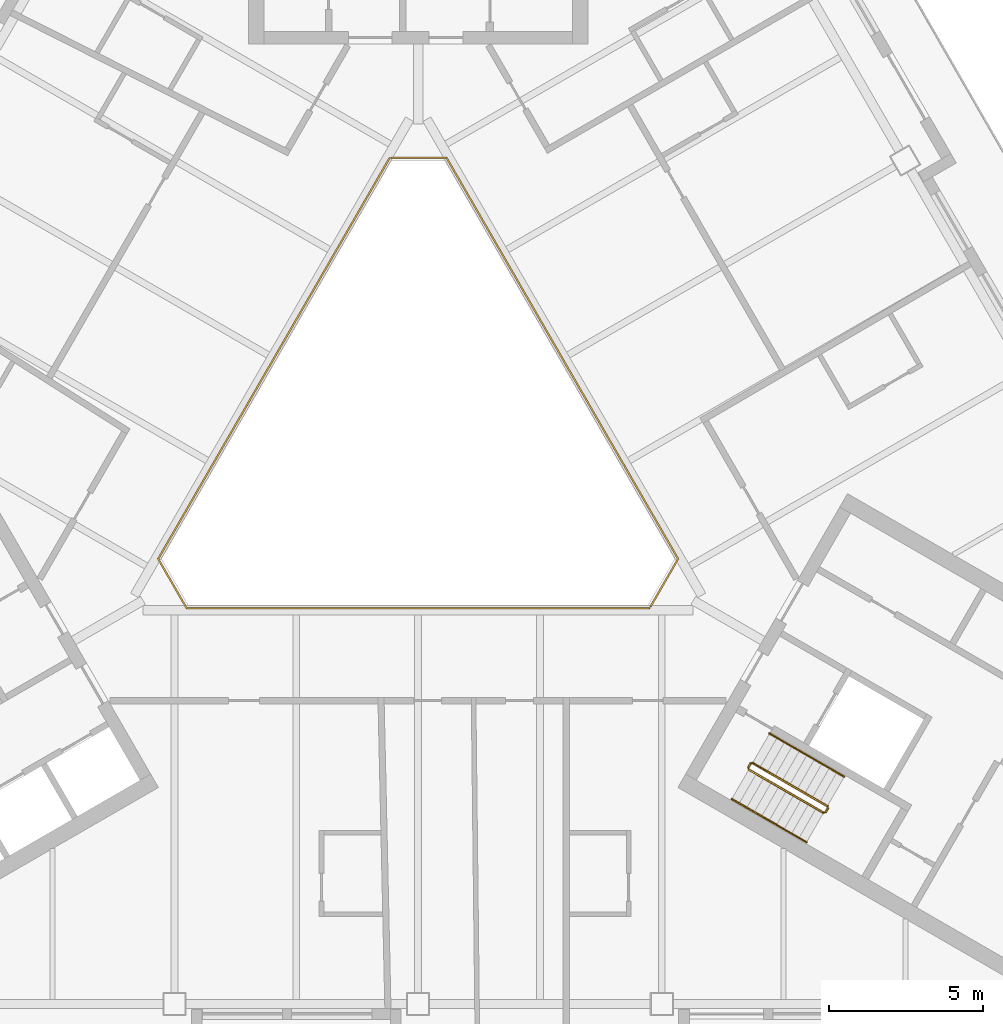
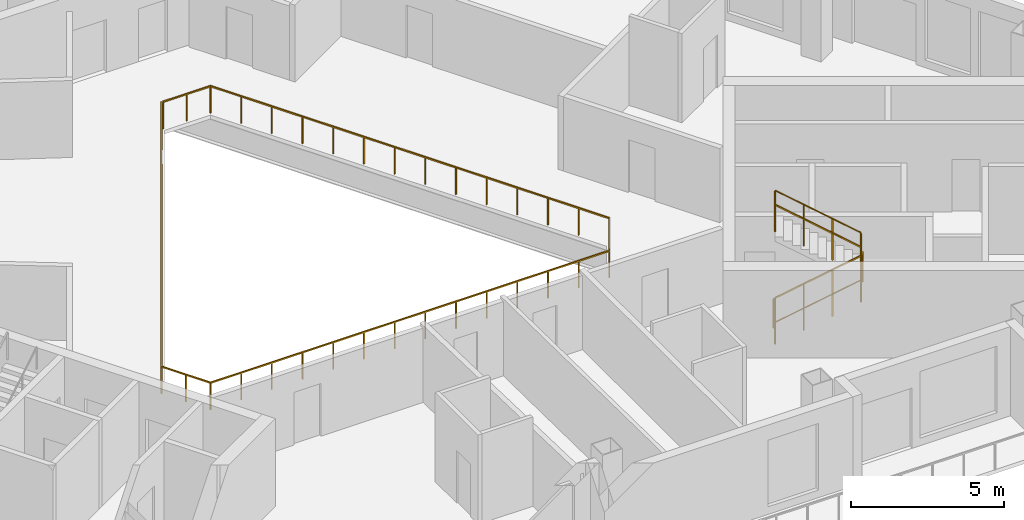
# One storey, part 11 of 13: 8 railings.
"""IFC4 building model written with IfcOpenShell, lengths in metres."""

from ifc_helpers import new_model, si_unit, direction, frame, origin, origin_2d, place, context, subcontext, project, spatial, rectangle, circle, extrude, material, type_object, element, save


model = new_model("IFC4")

# Units and contexts
model_context = context("Model", 3, precision=1e-05, world=origin(), true_north=direction((0.0, 1.0)))
body_context = subcontext(model_context, "Body", "Model", "MODEL_VIEW")
ifc_project = project(units=[si_unit("LENGTHUNIT", "METRE"), si_unit("AREAUNIT", "SQUARE_METRE"), si_unit("VOLUMEUNIT", "CUBIC_METRE"), si_unit("PLANEANGLEUNIT", "RADIAN"), si_unit("MASSUNIT", "GRAM", prefix="KILO")], contexts=[model_context])

# Site, building, storey
site_placement = place(None, origin())
site = spatial("IfcSite", under=ifc_project, at=site_placement, CompositionType="ELEMENT")
building_placement = place(site_placement, origin())
building = spatial("IfcBuilding", under=site, at=building_placement, Name="Apuvela Tower Hotel", CompositionType="ELEMENT")
storey_placement = place(building_placement, frame((0.0, 0.0, 194.699951171875)))
storey = spatial("IfcBuildingStorey", under=building, at=storey_placement, Name="L47", CompositionType="ELEMENT", Elevation=194.699951171875)

# Railings
ifc_material_1 = material(Name="Steel S275 balustrade", Category="steel")
railing_type_1 = type_object("IfcRailingType", Name="COR-GUARD-1100", PredefinedType="GUARDRAIL", material=ifc_material_1)
railing_1_placement = place(storey_placement, frame((10.718994140625, -10.63427734375, 0.168212890625)))
element("IfcRailing", 1, at=railing_1_placement, inside=storey, type_object=railing_type_1, Name="L47 ST3 stair guard 1", PredefinedType="GUARDRAIL", context=body_context, shape_type="SweptSolid", body=[
    extrude(rectangle(XDim=0.048095703125, YDim=0.048095703125, at=origin_2d()), frame((0.0, 0.0, 1.076171875), z_axis=(0.742390482028, -0.42860119049, 0.514934356695), x_axis=(0.49998411664, 0.866034573852, 0.0)), (0.0, 0.0, 1.0), 3.26611328125),
    extrude(rectangle(XDim=0.0419921875, YDim=0.0419921875, at=origin_2d()), origin(), (0.0, 0.0, 1.0), 1.052001953125),
    extrude(rectangle(XDim=0.0419921875, YDim=0.0419921875, at=origin_2d()), frame((0.808349609375, -0.466552734375, 0.560546875)), (0.0, 0.0, 1.0), 1.052001953125),
    extrude(rectangle(XDim=0.0419921875, YDim=0.0419921875, at=origin_2d()), frame((1.616455078125, -0.933349609375, 1.121337890625)), (0.0, 0.0, 1.0), 1.052001953125),
    extrude(rectangle(XDim=0.0419921875, YDim=0.0419921875, at=origin_2d()), frame((2.4248046875, -1.39990234375, 1.681884765625)), (0.0, 0.0, 1.0), 1.052001953125),
])
railing_2_placement = place(storey_placement, frame((13.212158203125, -12.015869140625, 1.85009765625)))
element("IfcRailing", 2, at=railing_2_placement, inside=storey, type_object=railing_type_1, Name="L47 ST3 stair guard 2", PredefinedType="GUARDRAIL", context=body_context, shape_type="SweptSolid", body=[
    extrude(rectangle(XDim=0.048095703125, YDim=0.048095703125, at=origin_2d()), frame((0.0, 0.0, 1.076171875), z_axis=(0.499816412211, 0.866131372301, 0.0), x_axis=(-0.866131372301, 0.499816412211, 0.0)), (0.0, 0.0, 1.0), 0.14990234375),
    extrude(rectangle(XDim=0.0419921875, YDim=0.0419921875, at=origin_2d()), origin(), (0.0, 0.0, 1.0), 1.052001953125),
    extrude(rectangle(XDim=0.0419921875, YDim=0.0419921875, at=origin_2d()), frame((0.074951171875, 0.1298828125, 0.0)), (0.0, 0.0, 1.0), 1.052001953125),
])
railing_3_placement = place(storey_placement, frame((13.268798828125, -11.817626953125, 2.018310546875)))
element("IfcRailing", 3, at=railing_3_placement, inside=storey, type_object=railing_type_1, Name="L47 ST3 stair guard 3", PredefinedType="GUARDRAIL", context=body_context, shape_type="SweptSolid", body=[
    extrude(rectangle(XDim=0.048095703125, YDim=0.048095703125, at=origin_2d()), frame((0.0, 0.0, 1.076171875), z_axis=(-0.74241905619, 0.428617687091, 0.514879426), x_axis=(-0.49998411664, -0.866034573852, 0.0)), (0.0, 0.0, 1.0), 3.26611328125),
    extrude(rectangle(XDim=0.0419921875, YDim=0.0419921875, at=origin_2d()), origin(), (0.0, 0.0, 1.0), 1.052001953125),
    extrude(rectangle(XDim=0.0419921875, YDim=0.0419921875, at=origin_2d()), frame((-0.808349609375, 0.466552734375, 0.560546875)), (0.0, 0.0, 1.0), 1.052001953125),
    extrude(rectangle(XDim=0.0419921875, YDim=0.0419921875, at=origin_2d()), frame((-1.616455078125, 0.933349609375, 1.12109375)), (0.0, 0.0, 1.0), 1.052001953125),
    extrude(rectangle(XDim=0.0419921875, YDim=0.0419921875, at=origin_2d()), frame((-2.4248046875, 1.39990234375, 1.681640625)), (0.0, 0.0, 1.0), 1.052001953125),
])
railing_4_placement = place(storey_placement, frame((10.70068359375, -10.56591796875, 0.0)))
element("IfcRailing", 4, at=railing_4_placement, inside=storey, type_object=railing_type_1, Name="L47 ST3 stair guard 4", PredefinedType="GUARDRAIL", context=body_context, shape_type="SweptSolid", body=[
    extrude(rectangle(XDim=0.048095703125, YDim=0.048095703125, at=origin_2d()), frame((0.0, 0.0, 1.076171875), z_axis=(0.499816412211, 0.866131372301, 0.0), x_axis=(-0.866131372301, 0.499816412211, 0.0)), (0.0, 0.0, 1.0), 0.14990234375),
    extrude(rectangle(XDim=0.0419921875, YDim=0.0419921875, at=origin_2d()), origin(), (0.0, 0.0, 1.0), 1.052001953125),
    extrude(rectangle(XDim=0.0419921875, YDim=0.0419921875, at=origin_2d()), frame((0.074951171875, 0.1298828125, 0.0)), (0.0, 0.0, 1.0), 1.052001953125),
])
ifc_material_2 = material(Name="Stainless steel 316 handrail", Category="steel")
railing_type_2 = type_object("IfcRailingType", Name="COR-HANDRAIL-900", PredefinedType="HANDRAIL", material=ifc_material_2)
railing_5_placement = place(storey_placement, frame((10.1689453125, -11.5869140625, 0.168212890625)))
element("IfcRailing", 5, at=railing_5_placement, inside=storey, type_object=railing_type_2, Name="L47 ST3 stair handrail 1", PredefinedType="HANDRAIL", context=body_context, shape_type="SweptSolid", body=[
    extrude(circle(Radius=0.02392578125, at=origin_2d()), frame((0.0, 0.0, 0.8759765625), z_axis=(0.742390482028, -0.42860119049, 0.514934356695), x_axis=(0.49998411664, 0.866034573852, 0.0)), (0.0, 0.0, 1.0), 3.26611328125),
    extrude(rectangle(XDim=0.0419921875, YDim=0.0419921875, at=origin_2d()), origin(), (0.0, 0.0, 1.0), 0.851806640625),
    extrude(rectangle(XDim=0.0419921875, YDim=0.0419921875, at=origin_2d()), frame((0.808349609375, -0.466552734375, 0.560546875)), (0.0, 0.0, 1.0), 0.851806640625),
    extrude(rectangle(XDim=0.0419921875, YDim=0.0419921875, at=origin_2d()), frame((1.616455078125, -0.933349609375, 1.121337890625)), (0.0, 0.0, 1.0), 0.851806640625),
    extrude(rectangle(XDim=0.0419921875, YDim=0.0419921875, at=origin_2d()), frame((2.4248046875, -1.39990234375, 1.681884765625)), (0.0, 0.0, 1.0), 0.851806640625),
])
railing_6_placement = place(storey_placement, frame((13.81884765625, -10.864990234375, 2.018310546875)))
element("IfcRailing", 6, at=railing_6_placement, inside=storey, type_object=railing_type_2, Name="L47 ST3 stair handrail 2", PredefinedType="HANDRAIL", context=body_context, shape_type="SweptSolid", body=[
    extrude(circle(Radius=0.02392578125, at=origin_2d()), frame((0.0, 0.0, 0.8759765625), z_axis=(-0.74241905619, 0.428617687091, 0.514879426), x_axis=(-0.49998411664, -0.866034573852, 0.0)), (0.0, 0.0, 1.0), 3.26611328125),
    extrude(rectangle(XDim=0.0419921875, YDim=0.0419921875, at=origin_2d()), origin(), (0.0, 0.0, 1.0), 0.851806640625),
    extrude(rectangle(XDim=0.0419921875, YDim=0.0419921875, at=origin_2d()), frame((-0.808349609375, 0.466552734375, 0.560546875)), (0.0, 0.0, 1.0), 0.851806640625),
    extrude(rectangle(XDim=0.0419921875, YDim=0.0419921875, at=origin_2d()), frame((-1.616455078125, 0.933349609375, 1.12109375)), (0.0, 0.0, 1.0), 0.851806640625),
    extrude(rectangle(XDim=0.0419921875, YDim=0.0419921875, at=origin_2d()), frame((-2.4248046875, 1.39990234375, 1.681640625)), (0.0, 0.0, 1.0), 0.851806640625),
])
ifc_material_3 = material(Name="Stainless steel 316 rail with laminated glass infill", Category="steel")
railing_type_3 = type_object("IfcRailingType", Name="ENV-GUARD-1100", PredefinedType="GUARDRAIL", material=ifc_material_3)
railing_7_placement = place(storey_placement, frame((-0.923828125, 9.199951171875, 0.0)))
element("IfcRailing", 7, at=railing_7_placement, inside=storey, type_object=railing_type_3, Name="Atrium void guard A L47", PredefinedType="GUARDRAIL", context=body_context, shape_type="SweptSolid", body=[
    extrude(rectangle(XDim=0.050048828125, YDim=0.050048828125, at=origin_2d()), frame((0.0, 0.0, 1.0751953125), z_axis=(-0.499990886379, -0.866030665472, 0.0), x_axis=(0.866030665472, -0.499990886379, 0.0)), (0.0, 0.0, 1.0), 15.010986328125),
    extrude(rectangle(XDim=0.050048828125, YDim=0.050048828125, at=origin_2d()), frame((-7.50537109375, -13.0, 1.0751953125), z_axis=(0.499962699187, -0.866046938348, 0.0), x_axis=(0.866046938348, 0.499962699187, 0.0)), (0.0, 0.0, 1.0), 1.847412109375),
    extrude(rectangle(XDim=0.050048828125, YDim=0.050048828125, at=origin_2d()), frame((-6.581787109375, -14.599853515625, 1.0751953125), z_axis=(1.0, 0.0, 0.0), x_axis=(0.0, 1.0, 0.0)), (0.0, 0.0, 1.0), 15.01123046875),
    extrude(rectangle(XDim=0.0400390625, YDim=0.0400390625, at=origin_2d()), origin(), (0.0, 0.0, 1.0), 1.050048828125),
    extrude(rectangle(XDim=0.0400390625, YDim=0.0400390625, at=origin_2d()), frame((-0.577392578125, -1.0, 0.0)), (0.0, 0.0, 1.0), 1.050048828125),
    extrude(rectangle(XDim=0.0400390625, YDim=0.0400390625, at=origin_2d()), frame((-1.15478515625, -2.0, 0.0)), (0.0, 0.0, 1.0), 1.050048828125),
    extrude(rectangle(XDim=0.0400390625, YDim=0.0400390625, at=origin_2d()), frame((-1.73193359375, -3.0, 0.0)), (0.0, 0.0, 1.0), 1.050048828125),
    extrude(rectangle(XDim=0.0400390625, YDim=0.0400390625, at=origin_2d()), frame((-2.309326171875, -4.0, 0.0)), (0.0, 0.0, 1.0), 1.050048828125),
    extrude(rectangle(XDim=0.0400390625, YDim=0.0400390625, at=origin_2d()), frame((-2.88671875, -5.0, 0.0)), (0.0, 0.0, 1.0), 1.050048828125),
    extrude(rectangle(XDim=0.0400390625, YDim=0.0400390625, at=origin_2d()), frame((-3.464111328125, -6.0, 0.0)), (0.0, 0.0, 1.0), 1.050048828125),
    extrude(rectangle(XDim=0.0400390625, YDim=0.0400390625, at=origin_2d()), frame((-4.041259765625, -7.0, 0.0)), (0.0, 0.0, 1.0), 1.050048828125),
    extrude(rectangle(XDim=0.0400390625, YDim=0.0400390625, at=origin_2d()), frame((-4.61865234375, -8.0, 0.0)), (0.0, 0.0, 1.0), 1.050048828125),
    extrude(rectangle(XDim=0.0400390625, YDim=0.0400390625, at=origin_2d()), frame((-5.196044921875, -9.0, 0.0)), (0.0, 0.0, 1.0), 1.050048828125),
    extrude(rectangle(XDim=0.0400390625, YDim=0.0400390625, at=origin_2d()), frame((-5.7734375, -10.0, 0.0)), (0.0, 0.0, 1.0), 1.050048828125),
    extrude(rectangle(XDim=0.0400390625, YDim=0.0400390625, at=origin_2d()), frame((-6.3505859375, -11.0, 0.0)), (0.0, 0.0, 1.0), 1.050048828125),
    extrude(rectangle(XDim=0.0400390625, YDim=0.0400390625, at=origin_2d()), frame((-6.927978515625, -12.0, 0.0)), (0.0, 0.0, 1.0), 1.050048828125),
    extrude(rectangle(XDim=0.0400390625, YDim=0.0400390625, at=origin_2d()), frame((-7.50537109375, -13.0, 0.0)), (0.0, 0.0, 1.0), 1.050048828125),
    extrude(rectangle(XDim=0.0400390625, YDim=0.0400390625, at=origin_2d()), frame((-7.04345703125, -13.7998046875, 0.0)), (0.0, 0.0, 1.0), 1.050048828125),
    extrude(rectangle(XDim=0.0400390625, YDim=0.0400390625, at=origin_2d()), frame((-6.581787109375, -14.599853515625, 0.0)), (0.0, 0.0, 1.0), 1.050048828125),
    extrude(rectangle(XDim=0.0400390625, YDim=0.0400390625, at=origin_2d()), frame((-5.427001953125, -14.599853515625, 0.0)), (0.0, 0.0, 1.0), 1.050048828125),
    extrude(rectangle(XDim=0.0400390625, YDim=0.0400390625, at=origin_2d()), frame((-4.2724609375, -14.599853515625, 0.0)), (0.0, 0.0, 1.0), 1.050048828125),
    extrude(rectangle(XDim=0.0400390625, YDim=0.0400390625, at=origin_2d()), frame((-3.11767578125, -14.599853515625, 0.0)), (0.0, 0.0, 1.0), 1.050048828125),
    extrude(rectangle(XDim=0.0400390625, YDim=0.0400390625, at=origin_2d()), frame((-1.962890625, -14.599853515625, 0.0)), (0.0, 0.0, 1.0), 1.050048828125),
    extrude(rectangle(XDim=0.0400390625, YDim=0.0400390625, at=origin_2d()), frame((-0.808349609375, -14.599853515625, 0.0)), (0.0, 0.0, 1.0), 1.050048828125),
    extrude(rectangle(XDim=0.0400390625, YDim=0.0400390625, at=origin_2d()), frame((0.346435546875, -14.599853515625, 0.0)), (0.0, 0.0, 1.0), 1.050048828125),
    extrude(rectangle(XDim=0.0400390625, YDim=0.0400390625, at=origin_2d()), frame((1.501220703125, -14.599853515625, 0.0)), (0.0, 0.0, 1.0), 1.050048828125),
    extrude(rectangle(XDim=0.0400390625, YDim=0.0400390625, at=origin_2d()), frame((2.656005859375, -14.599853515625, 0.0)), (0.0, 0.0, 1.0), 1.050048828125),
    extrude(rectangle(XDim=0.0400390625, YDim=0.0400390625, at=origin_2d()), frame((3.810546875, -14.599853515625, 0.0)), (0.0, 0.0, 1.0), 1.050048828125),
    extrude(rectangle(XDim=0.0400390625, YDim=0.0400390625, at=origin_2d()), frame((4.96533203125, -14.599853515625, 0.0)), (0.0, 0.0, 1.0), 1.050048828125),
    extrude(rectangle(XDim=0.0400390625, YDim=0.0400390625, at=origin_2d()), frame((6.1201171875, -14.599853515625, 0.0)), (0.0, 0.0, 1.0), 1.050048828125),
    extrude(rectangle(XDim=0.0400390625, YDim=0.0400390625, at=origin_2d()), frame((7.274658203125, -14.599853515625, 0.0)), (0.0, 0.0, 1.0), 1.050048828125),
    extrude(rectangle(XDim=0.0400390625, YDim=0.0400390625, at=origin_2d()), frame((8.429443359375, -14.599853515625, 0.0)), (0.0, 0.0, 1.0), 1.050048828125),
])
railing_8_placement = place(storey_placement, frame((7.53564453125, -5.347900390625, 0.0)))
element("IfcRailing", 8, at=railing_8_placement, inside=storey, type_object=railing_type_3, Name="Atrium void guard B L47", PredefinedType="GUARDRAIL", context=body_context, shape_type="SweptSolid", body=[
    extrude(rectangle(XDim=0.050048828125, YDim=0.050048828125, at=origin_2d()), frame((0.0, 0.0, 1.0751953125), z_axis=(0.499958946799, 0.866049104564, 0.0), x_axis=(-0.866049104564, 0.499958946799, 0.0)), (0.0, 0.0, 1.0), 1.787353515625),
    extrude(rectangle(XDim=0.050048828125, YDim=0.050048828125, at=origin_2d()), frame((0.8935546875, 1.5478515625, 1.0751953125), z_axis=(-0.499990886379, 0.866030665472, 0.0), x_axis=(-0.866030665472, -0.499990886379, 0.0)), (0.0, 0.0, 1.0), 15.010986328125),
    extrude(rectangle(XDim=0.050048828125, YDim=0.050048828125, at=origin_2d()), frame((-6.61181640625, 14.5478515625, 1.0751953125), z_axis=(-1.0, 0.0, 0.0), x_axis=(0.0, -1.0, 0.0)), (0.0, 0.0, 1.0), 1.78759765625),
    extrude(rectangle(XDim=0.0400390625, YDim=0.0400390625, at=origin_2d()), origin(), (0.0, 0.0, 1.0), 1.050048828125),
    extrude(rectangle(XDim=0.0400390625, YDim=0.0400390625, at=origin_2d()), frame((0.44677734375, 0.77392578125, 0.0)), (0.0, 0.0, 1.0), 1.050048828125),
    extrude(rectangle(XDim=0.0400390625, YDim=0.0400390625, at=origin_2d()), frame((0.8935546875, 1.5478515625, 0.0)), (0.0, 0.0, 1.0), 1.050048828125),
    extrude(rectangle(XDim=0.0400390625, YDim=0.0400390625, at=origin_2d()), frame((0.316162109375, 2.5478515625, 0.0)), (0.0, 0.0, 1.0), 1.050048828125),
    extrude(rectangle(XDim=0.0400390625, YDim=0.0400390625, at=origin_2d()), frame((-0.26123046875, 3.5478515625, 0.0)), (0.0, 0.0, 1.0), 1.050048828125),
    extrude(rectangle(XDim=0.0400390625, YDim=0.0400390625, at=origin_2d()), frame((-0.83837890625, 4.5478515625, 0.0)), (0.0, 0.0, 1.0), 1.050048828125),
    extrude(rectangle(XDim=0.0400390625, YDim=0.0400390625, at=origin_2d()), frame((-1.415771484375, 5.5478515625, 0.0)), (0.0, 0.0, 1.0), 1.050048828125),
    extrude(rectangle(XDim=0.0400390625, YDim=0.0400390625, at=origin_2d()), frame((-1.9931640625, 6.5478515625, 0.0)), (0.0, 0.0, 1.0), 1.050048828125),
    extrude(rectangle(XDim=0.0400390625, YDim=0.0400390625, at=origin_2d()), frame((-2.570556640625, 7.5478515625, 0.0)), (0.0, 0.0, 1.0), 1.050048828125),
    extrude(rectangle(XDim=0.0400390625, YDim=0.0400390625, at=origin_2d()), frame((-3.147705078125, 8.5478515625, 0.0)), (0.0, 0.0, 1.0), 1.050048828125),
    extrude(rectangle(XDim=0.0400390625, YDim=0.0400390625, at=origin_2d()), frame((-3.72509765625, 9.5478515625, 0.0)), (0.0, 0.0, 1.0), 1.050048828125),
    extrude(rectangle(XDim=0.0400390625, YDim=0.0400390625, at=origin_2d()), frame((-4.302490234375, 10.5478515625, 0.0)), (0.0, 0.0, 1.0), 1.050048828125),
    extrude(rectangle(XDim=0.0400390625, YDim=0.0400390625, at=origin_2d()), frame((-4.8798828125, 11.5478515625, 0.0)), (0.0, 0.0, 1.0), 1.050048828125),
    extrude(rectangle(XDim=0.0400390625, YDim=0.0400390625, at=origin_2d()), frame((-5.45703125, 12.5478515625, 0.0)), (0.0, 0.0, 1.0), 1.050048828125),
    extrude(rectangle(XDim=0.0400390625, YDim=0.0400390625, at=origin_2d()), frame((-6.034423828125, 13.5478515625, 0.0)), (0.0, 0.0, 1.0), 1.050048828125),
    extrude(rectangle(XDim=0.0400390625, YDim=0.0400390625, at=origin_2d()), frame((-6.61181640625, 14.5478515625, 0.0)), (0.0, 0.0, 1.0), 1.050048828125),
    extrude(rectangle(XDim=0.0400390625, YDim=0.0400390625, at=origin_2d()), frame((-7.505615234375, 14.5478515625, 0.0)), (0.0, 0.0, 1.0), 1.050048828125),
    extrude(rectangle(XDim=0.0400390625, YDim=0.0400390625, at=origin_2d()), frame((-8.3994140625, 14.5478515625, 0.0)), (0.0, 0.0, 1.0), 1.050048828125),
])

save(model, "model.ifc")
